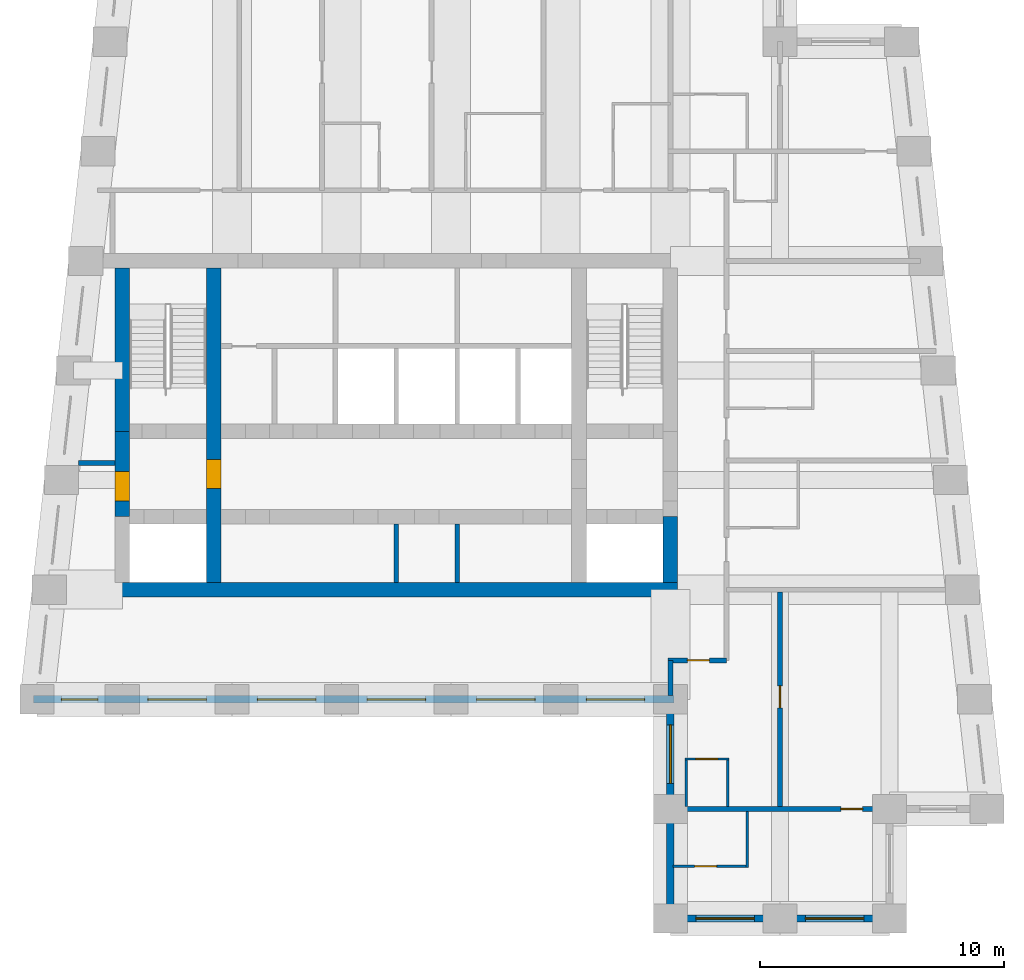
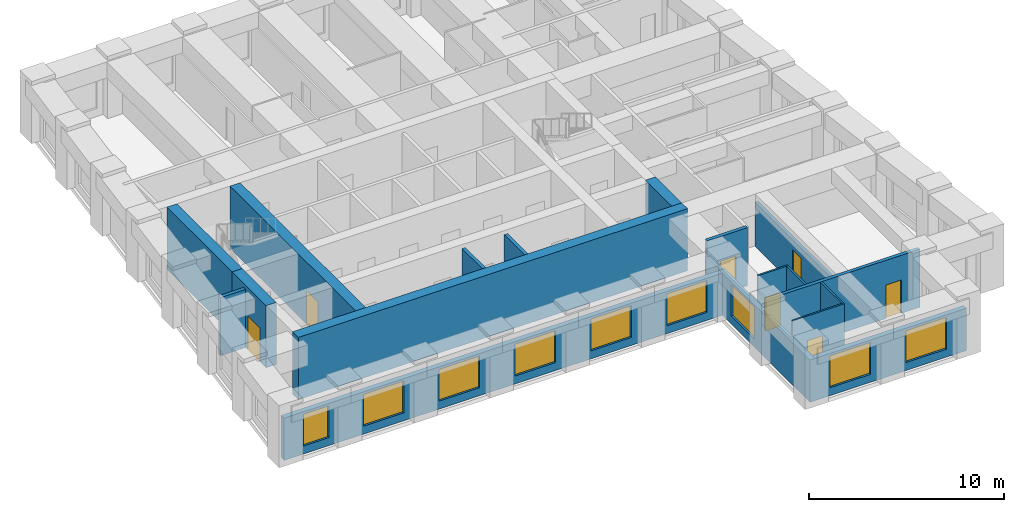
# One storey, part 2 of 7: 20 walls, 9 windows, 7 doors, 16 openings.
"""IFC4 building model written with IfcOpenShell, lengths in metres."""

from ifc_helpers import new_model, si_unit, direction, frame, frame_2d, origin, place, context, subcontext, project, spatial, rectangle, extrude, material, layer, layer_set, type_object, element, fill, save


model = new_model("IFC4")

# Units and contexts
model_context = context("Model", 3, precision=1e-05, world=origin(), true_north=direction((0.0, 1.0)))
body_context = subcontext(model_context, "Body", "Model", "MODEL_VIEW")
ifc_project = project(units=[si_unit("LENGTHUNIT", "METRE"), si_unit("AREAUNIT", "SQUARE_METRE"), si_unit("VOLUMEUNIT", "CUBIC_METRE"), si_unit("PLANEANGLEUNIT", "RADIAN"), si_unit("MASSUNIT", "GRAM", prefix="KILO")], contexts=[model_context])

# Site, building, storey
site_placement = place(None, origin())
site = spatial("IfcSite", under=ifc_project, at=site_placement, CompositionType="ELEMENT")
building_placement = place(site_placement, origin())
building = spatial("IfcBuilding", under=site, at=building_placement, Name="Kilele Tower Hotel", CompositionType="ELEMENT")
storey_placement = place(building_placement, frame((0.0, 0.0, 254.60009765625)))
storey = spatial("IfcBuildingStorey", under=building, at=storey_placement, Name="L65", CompositionType="ELEMENT", Elevation=254.60009765625)

# Walls
ifc_material_1 = material(Name="Moisture-resistant board")
ifc_layer_1 = layer(ifc_material_1, 0.10009765625)
ifc_layer_set_1 = layer_set([ifc_layer_1], Name="Moisture-resistant board")
wall_type_1 = type_object("IfcWallType", Name="Bathroom partition 100", PredefinedType="PLUMBINGWALL", material=ifc_layer_set_1)
wall_1_placement = place(storey_placement, frame((38.35009765625, 4.60009765625, 0.0), z_axis=(0.0, 0.0, 1.0), x_axis=(0.0, 1.0, 0.0)))
element("IfcWall", 1, at=wall_1_placement, inside=storey, type_object=wall_type_1, Name="Bathroom partition 100 L65", PredefinedType="PLUMBINGWALL", context=body_context, shape_type="SweptSolid", body=[
    extrude(rectangle(XDim=2.0, YDim=0.10009765625, at=frame_2d((1.0, 0.0))), origin(), (0.0, 0.0, 1.0), 3.64990234375),
])
wall_2_placement = place(storey_placement, frame((36.64990234375, 4.60009765625, 0.0), z_axis=(0.0, 0.0, 1.0), x_axis=(0.0, 1.0, 0.0)))
element("IfcWall", 2, at=wall_2_placement, inside=storey, type_object=wall_type_1, Name="Bathroom partition 100 L65", PredefinedType="PLUMBINGWALL", context=body_context, shape_type="SweptSolid", body=[
    extrude(rectangle(XDim=2.0, YDim=0.10009765625, at=frame_2d((1.0, 0.0))), origin(), (0.0, 0.0, 1.0), 2.64990234375),
])

# Wall, opening, door
wall_3_placement = place(storey_placement, frame((36.60009765625, 6.550048828125, 0.0), z_axis=(0.0, 0.0, 1.0), x_axis=(1.0, 0.0, 0.0)))
wall_3 = element("IfcWall", 3, at=wall_3_placement, inside=storey, type_object=wall_type_1, Name="Bathroom partition 100 L65", PredefinedType="PLUMBINGWALL", context=body_context, shape_type="SweptSolid", body=[
    extrude(rectangle(XDim=1.7998046875, YDim=0.10009765625, at=frame_2d((0.89990234375, 0.0))), origin(), (0.0, 0.0, 1.0), 3.64990234375),
])
opening_1_placement = place(wall_3_placement, frame((0.449951171875, 0.0, 0.0)))
opening_1 = element("IfcOpeningElement", 4, at=opening_1_placement, cuts=wall_3, Name="Opening D2A", PredefinedType="OPENING", context=body_context, shape_type="SweptSolid", body=[
    extrude(rectangle(XDim=0.89990234375, YDim=2.10009765625, at=frame_2d((0.449951171875, 1.050048828125))), frame((0.0, 0.06005859375, 0.0), z_axis=(0.0, -1.0, 0.0), x_axis=(1.0, 0.0, 0.0)), (0.0, 0.0, 1.0), 0.1201171875),
])
ifc_material_2 = material(Name="Timber door leaf in hardwood frame", Category="wood")
door_type_1 = type_object("IfcDoorType", Name="Bathroom door 900", OperationType="SINGLE_SWING_LEFT", PredefinedType="DOOR", material=ifc_material_2)
door_1_placement = place(opening_1_placement, origin())
door_1 = element("IfcDoor", 5, at=door_1_placement, inside=storey, type_object=door_type_1, Name="Bathroom door 6510P", OperationType="SINGLE_SWING_LEFT", OverallHeight=2.10009765625, OverallWidth=0.89990234375, PredefinedType="DOOR", context=body_context, shape_type="SweptSolid", body=[
    extrude(rectangle(XDim=0.89990234375, YDim=2.10009765625, at=frame_2d((0.449951171875, 1.050048828125))), frame((0.0, 0.02490234375, 0.0), z_axis=(0.0, -1.0, 0.0), x_axis=(1.0, 0.0, 0.0)), (0.0, 0.0, 1.0), 0.050048828125),
])
fill(opening_1, door_1)

# Wall
wall_4_placement = place(storey_placement, frame((39.14990234375, 4.39990234375, 0.0), z_axis=(0.0, 0.0, 1.0), x_axis=(0.0, -1.0, 0.0)))
element("IfcWall", 6, at=wall_4_placement, inside=storey, type_object=wall_type_1, Name="Bathroom partition 100 L65", PredefinedType="PLUMBINGWALL", context=body_context, shape_type="SweptSolid", body=[
    extrude(rectangle(XDim=2.2998046875, YDim=0.10009765625, at=frame_2d((1.14990234375, 0.0))), origin(), (0.0, 0.0, 1.0), 3.64990234375),
])

# Wall, opening, door
wall_5_placement = place(storey_placement, frame((36.10009765625, 2.14990234375, 0.0), z_axis=(0.0, 0.0, 1.0), x_axis=(1.0, 0.0, 0.0)))
wall_5 = element("IfcWall", 7, at=wall_5_placement, inside=storey, type_object=wall_type_1, Name="Bathroom partition 100 L65", PredefinedType="PLUMBINGWALL", context=body_context, shape_type="SweptSolid", body=[
    extrude(rectangle(XDim=3.099853515625, YDim=0.10009765625, at=frame_2d((1.5498046875, 0.0))), origin(), (0.0, 0.0, 1.0), 3.64990234375),
])
opening_2_placement = place(wall_5_placement, frame((1.7998046875, 0.0, 0.0), z_axis=(0.0, 0.0, 1.0), x_axis=(-1.0, 0.0, 0.0)))
opening_2 = element("IfcOpeningElement", 8, at=opening_2_placement, cuts=wall_5, Name="Opening D2A", PredefinedType="OPENING", context=body_context, shape_type="SweptSolid", body=[
    extrude(rectangle(XDim=0.89990234375, YDim=2.10009765625, at=frame_2d((0.449951171875, 1.050048828125))), frame((0.0, 0.06005859375, 0.0), z_axis=(0.0, -1.0, 0.0), x_axis=(1.0, 0.0, 0.0)), (0.0, 0.0, 1.0), 0.1201171875),
])
door_2_placement = place(opening_2_placement, origin())
door_2 = element("IfcDoor", 9, at=door_2_placement, inside=storey, type_object=door_type_1, Name="Bathroom door 6512B", OperationType="SINGLE_SWING_RIGHT", OverallHeight=2.10009765625, OverallWidth=0.89990234375, PredefinedType="DOOR", context=body_context, shape_type="SweptSolid", body=[
    extrude(rectangle(XDim=0.89990234375, YDim=2.10009765625, at=frame_2d((0.449951171875, 1.050048828125))), frame((0.0, 0.02490234375, 0.0), z_axis=(0.0, -1.0, 0.0), x_axis=(1.0, 0.0, 0.0)), (0.0, 0.0, 1.0), 0.050048828125),
])
fill(opening_2, door_2)

# Wall
ifc_material_3 = material(Name="Concrete C60/75", Category="concrete")
ifc_layer_2 = layer(ifc_material_3, 0.60009765625)
ifc_layer_set_2 = layer_set([ifc_layer_2], Name="Concrete C60/75")
wall_type_2 = type_object("IfcWallType", Name="Core wall 600 C60/75", PredefinedType="SHEAR", material=ifc_layer_set_2)
wall_6_placement = place(storey_placement, frame((13.199951171875, 13.5, 0.0), z_axis=(0.0, 0.0, 1.0), x_axis=(1.0, 0.0, 0.0)))
element("IfcWall", 10, at=wall_6_placement, inside=storey, type_object=wall_type_2, Name="Core wall S L65", PredefinedType="SHEAR", context=body_context, shape_type="SweptSolid", body=[
    extrude(rectangle(XDim=23.10009765625, YDim=0.60009765625, at=frame_2d((11.550048828125, 0.0))), origin(), (0.0, 0.0, 1.0), 3.89990234375),
])

# Wall, opening, door
wall_7_placement = place(storey_placement, frame((17.25, 13.800048828125, 0.0), z_axis=(0.0, 0.0, 1.0), x_axis=(0.0, 1.0, 0.0)))
wall_7 = element("IfcWall", 11, at=wall_7_placement, inside=storey, type_object=wall_type_2, Name="Core wall IW L65", PredefinedType="SHEAR", context=body_context, shape_type="SweptSolid", body=[
    extrude(rectangle(XDim=12.89990234375, YDim=0.60009765625, at=frame_2d((6.449951171875, 0.0))), origin(), (0.0, 0.0, 1.0), 3.89990234375),
])
opening_3_placement = place(wall_7_placement, frame((3.85009765625, 0.0, 0.0)))
opening_3 = element("IfcOpeningElement", 12, at=opening_3_placement, cuts=wall_7, Name="Opening D4", PredefinedType="OPENING", context=body_context, shape_type="SweptSolid", body=[
    extrude(rectangle(XDim=1.199951171875, YDim=2.10009765625, at=frame_2d((0.60009765625, 1.050048828125))), frame((0.0, 0.31005859375, 0.0), z_axis=(0.0, -1.0, 0.0), x_axis=(1.0, 0.0, 0.0)), (0.0, 0.0, 1.0), 0.6201171875),
])
ifc_material_4 = material(Name="Timber door leaf in hardwood frame", Category="wood")
door_type_2 = type_object("IfcDoorType", Name="Firefighting lobby door 1200", OperationType="SINGLE_SWING_LEFT", PredefinedType="DOOR", material=ifc_material_4)
door_3_placement = place(opening_3_placement, origin())
door_3 = element("IfcDoor", 13, at=door_3_placement, inside=storey, type_object=door_type_2, Name="Lobby door L65", OperationType="SINGLE_SWING_LEFT", OverallHeight=2.10009765625, OverallWidth=1.199951171875, PredefinedType="DOOR", context=body_context, shape_type="SweptSolid", body=[
    extrude(rectangle(XDim=1.199951171875, YDim=2.10009765625, at=frame_2d((0.60009765625, 1.050048828125))), frame((0.0, 0.2998046875, 0.0), z_axis=(0.0, -1.0, 0.0), x_axis=(1.0, 0.0, 0.0)), (0.0, 0.0, 1.0), 0.599609375),
])
fill(opening_3, door_3)

# Wall
wall_8_placement = place(storey_placement, frame((13.5, 26.699951171875, 0.0), z_axis=(0.0, 0.0, 1.0), x_axis=(0.0, -1.0, 0.0)))
element("IfcWall", 14, at=wall_8_placement, inside=storey, type_object=wall_type_2, Name="Core wall W1 L65", PredefinedType="SHEAR", context=body_context, shape_type="SweptSolid", body=[
    extrude(rectangle(XDim=6.699951171875, YDim=0.60009765625, at=frame_2d((3.35009765625, 0.0))), origin(), (0.0, 0.0, 1.0), 3.89990234375),
])

# Wall, opening, door
wall_9_placement = place(storey_placement, frame((13.5, 20.0, 0.0), z_axis=(0.0, 0.0, 1.0), x_axis=(0.0, -1.0, 0.0)))
wall_9 = element("IfcWall", 15, at=wall_9_placement, inside=storey, type_object=wall_type_2, Name="Core wall W2 L65", PredefinedType="SHEAR", context=body_context, shape_type="SweptSolid", body=[
    extrude(rectangle(XDim=3.5, YDim=0.60009765625, at=frame_2d((1.75, 0.0))), origin(), (0.0, 0.0, 1.0), 3.89990234375),
])
opening_4_placement = place(wall_9_placement, frame((1.64990234375, 0.0, 0.0)))
opening_4 = element("IfcOpeningElement", 16, at=opening_4_placement, cuts=wall_9, Name="Opening D4", PredefinedType="OPENING", context=body_context, shape_type="SweptSolid", body=[
    extrude(rectangle(XDim=1.199951171875, YDim=2.10009765625, at=frame_2d((0.60009765625, 1.050048828125))), frame((0.0, 0.31005859375, 0.0), z_axis=(0.0, -1.0, 0.0), x_axis=(1.0, 0.0, 0.0)), (0.0, 0.0, 1.0), 0.6201171875),
])
door_4_placement = place(opening_4_placement, origin())
door_4 = element("IfcDoor", 17, at=door_4_placement, inside=storey, type_object=door_type_2, Name="Lobby door L65", OperationType="SINGLE_SWING_RIGHT", OverallHeight=2.10009765625, OverallWidth=1.199951171875, PredefinedType="DOOR", context=body_context, shape_type="SweptSolid", body=[
    extrude(rectangle(XDim=1.199951171875, YDim=2.10009765625, at=frame_2d((0.60009765625, 1.050048828125))), frame((0.0, 0.2998046875, 0.0), z_axis=(0.0, -1.0, 0.0), x_axis=(1.0, 0.0, 0.0)), (0.0, 0.0, 1.0), 0.599609375),
])
fill(opening_4, door_4)

# Wall
wall_10_placement = place(storey_placement, frame((36.0, 13.800048828125, 0.0), z_axis=(0.0, 0.0, 1.0), x_axis=(0.0, 1.0, 0.0)))
element("IfcWall", 18, at=wall_10_placement, inside=storey, type_object=wall_type_2, Name="Core wall E1 L65", PredefinedType="SHEAR", context=body_context, shape_type="SweptSolid", body=[
    extrude(rectangle(XDim=2.699951171875, YDim=0.60009765625, at=frame_2d((1.35009765625, 0.0))), origin(), (0.0, 0.0, 1.0), 3.89990234375),
])

# Wall, opening, door
ifc_material_5 = material(Name="Blockwork, plastered both sides", Category="masonry")
ifc_layer_3 = layer(ifc_material_5, 0.199951171875)
ifc_layer_set_3 = layer_set([ifc_layer_3], Name="Blockwork, plastered both sides")
wall_type_3 = type_object("IfcWallType", Name="Corridor wall 200", PredefinedType="PARTITIONING", material=ifc_layer_set_3)
wall_11_placement = place(storey_placement, frame((35.89990234375, 10.60009765625, 0.0), z_axis=(0.0, 0.0, 1.0), x_axis=(1.0, 0.0, 0.0)))
wall_11 = element("IfcWall", 19, at=wall_11_placement, inside=storey, type_object=wall_type_3, Name="Corridor wall 200 L65", PredefinedType="PARTITIONING", context=body_context, shape_type="SweptSolid", body=[
    extrude(rectangle(XDim=2.400146484375, YDim=0.199951171875, at=frame_2d((1.2001953125, 0.0))), origin(), (0.0, 0.0, 1.0), 3.64990234375),
])
opening_5_placement = place(wall_11_placement, frame((1.699951171875, 0.0, 0.0), z_axis=(0.0, 0.0, 1.0), x_axis=(-1.0, 0.0, 0.0)))
opening_5 = element("IfcOpeningElement", 20, at=opening_5_placement, cuts=wall_11, Name="Opening D1", PredefinedType="OPENING", context=body_context, shape_type="SweptSolid", body=[
    extrude(rectangle(XDim=0.89990234375, YDim=2.10009765625, at=frame_2d((0.449951171875, 1.050048828125))), frame((0.0, 0.10986328125, 0.0), z_axis=(0.0, -1.0, 0.0), x_axis=(1.0, 0.0, 0.0)), (0.0, 0.0, 1.0), 0.219970703125),
])
ifc_material_6 = material(Name="Timber door leaf in hardwood frame", Category="wood")
door_type_3 = type_object("IfcDoorType", Name="Guest room entrance door 900", OperationType="SINGLE_SWING_LEFT", PredefinedType="DOOR", material=ifc_material_6)
door_5_placement = place(opening_5_placement, origin())
door_5 = element("IfcDoor", 21, at=door_5_placement, inside=storey, type_object=door_type_3, Name="Room entrance 6510", OperationType="SINGLE_SWING_RIGHT", OverallHeight=2.10009765625, OverallWidth=0.89990234375, PredefinedType="DOOR", context=body_context, shape_type="SweptSolid", body=[
    extrude(rectangle(XDim=0.89990234375, YDim=2.10009765625, at=frame_2d((0.449951171875, 1.050048828125))), frame((0.0, 0.02490234375, 0.0), z_axis=(0.0, -1.0, 0.0), x_axis=(1.0, 0.0, 0.0)), (0.0, 0.0, 1.0), 0.050048828125),
])
fill(opening_5, door_5)

# Wall
ifc_material_7 = material(Name="Blockwork, plastered both sides", Category="masonry")
ifc_layer_4 = layer(ifc_material_7, 0.199951171875)
ifc_layer_set_4 = layer_set([ifc_layer_4], Name="Blockwork, plastered both sides")
wall_type_4 = type_object("IfcWallType", Name="Partition wall 200", PredefinedType="PARTITIONING", material=ifc_layer_set_4)
wall_12_placement = place(storey_placement, frame((13.199951171875, 18.699951171875, 0.0), z_axis=(0.0, 0.0, 1.0), x_axis=(-1.0, 0.0, 0.0)))
element("IfcWall", 22, at=wall_12_placement, inside=storey, type_object=wall_type_4, Name="Partition wall 200 L65", PredefinedType="PARTITIONING", context=body_context, shape_type="SweptSolid", body=[
    extrude(rectangle(XDim=1.5, YDim=0.199951171875, at=frame_2d((0.75, 0.0))), origin(), (0.0, 0.0, 1.0), 3.64990234375),
])

# Wall, opening, door
wall_13_placement = place(storey_placement, frame((40.5, 4.60009765625, 0.0), z_axis=(0.0, 0.0, 1.0), x_axis=(0.0, 1.0, 0.0)))
wall_13 = element("IfcWall", 23, at=wall_13_placement, inside=storey, type_object=wall_type_4, Name="Partition wall 200 L65", PredefinedType="PARTITIONING", context=body_context, shape_type="SweptSolid", body=[
    extrude(rectangle(XDim=8.7998046875, YDim=0.199951171875, at=frame_2d((4.39990234375, 0.0))), origin(), (0.0, 0.0, 1.0), 2.75),
])
opening_6_placement = place(wall_13_placement, frame((4.050048828125, 0.0, 0.0)))
opening_6 = element("IfcOpeningElement", 24, at=opening_6_placement, cuts=wall_13, Name="Opening D3", PredefinedType="OPENING", context=body_context, shape_type="SweptSolid", body=[
    extrude(rectangle(XDim=0.89990234375, YDim=2.10009765625, at=frame_2d((0.449951171875, 1.050048828125))), frame((0.0, 0.10986328125, 0.0), z_axis=(0.0, -1.0, 0.0), x_axis=(1.0, 0.0, 0.0)), (0.0, 0.0, 1.0), 0.219970703125),
])
ifc_material_8 = material(Name="Timber door leaf in hardwood frame", Category="wood")
door_type_4 = type_object("IfcDoorType", Name="Suite internal door 900", OperationType="SINGLE_SWING_LEFT", PredefinedType="DOOR", material=ifc_material_8)
door_6_placement = place(opening_6_placement, origin())
door_6 = element("IfcDoor", 25, at=door_6_placement, inside=storey, type_object=door_type_4, Name="Suite door 6511", OperationType="SINGLE_SWING_RIGHT", OverallHeight=2.10009765625, OverallWidth=0.89990234375, PredefinedType="DOOR", context=body_context, shape_type="SweptSolid", body=[
    extrude(rectangle(XDim=0.89990234375, YDim=2.10009765625, at=frame_2d((0.449951171875, 1.050048828125))), frame((0.0, 0.02490234375, 0.0), z_axis=(0.0, -1.0, 0.0), x_axis=(1.0, 0.0, 0.0)), (0.0, 0.0, 1.0), 0.050048828125),
])
fill(opening_6, door_6)

# Wall
ifc_material_9 = material(Name="Blockwork, plastered both sides", Category="masonry")
ifc_layer_5 = layer(ifc_material_9, 0.199951171875)
ifc_layer_set_5 = layer_set([ifc_layer_5], Name="Blockwork, plastered both sides")
wall_type_5 = type_object("IfcWallType", Name="Party wall 200", PredefinedType="PARTITIONING", material=ifc_layer_set_5)
wall_14_placement = place(storey_placement, frame((36.0, 10.60009765625, 0.0), z_axis=(0.0, 0.0, 1.0), x_axis=(0.0, -1.0, 0.0)))
element("IfcWall", 26, at=wall_14_placement, inside=storey, type_object=wall_type_5, Name="Party wall 200 L65", PredefinedType="PARTITIONING", context=body_context, shape_type="SweptSolid", body=[
    extrude(rectangle(XDim=1.4501953125, YDim=0.199951171875, at=frame_2d((0.72509765625, 0.0))), origin(), (0.0, 0.0, 1.0), 2.64990234375),
])

# Wall, opening, door
wall_15_placement = place(storey_placement, frame((35.89990234375, 4.5, 0.0), z_axis=(0.0, 0.0, 1.0), x_axis=(1.0, 0.0, 0.0)))
wall_15 = element("IfcWall", 27, at=wall_15_placement, inside=storey, type_object=wall_type_5, Name="Party wall 200 L65", PredefinedType="PARTITIONING", context=body_context, shape_type="SweptSolid", body=[
    extrude(rectangle(XDim=9.10009765625, YDim=0.199951171875, at=frame_2d((4.550048828125, 0.0))), origin(), (0.0, 0.0, 1.0), 3.64990234375),
])
opening_7_placement = place(wall_15_placement, frame((7.10009765625, 0.0, 0.0)))
opening_7 = element("IfcOpeningElement", 28, at=opening_7_placement, cuts=wall_15, Name="Opening D3", PredefinedType="OPENING", context=body_context, shape_type="SweptSolid", body=[
    extrude(rectangle(XDim=0.89990234375, YDim=2.10009765625, at=frame_2d((0.449951171875, 1.050048828125))), frame((0.0, 0.10986328125, 0.0), z_axis=(0.0, -1.0, 0.0), x_axis=(1.0, 0.0, 0.0)), (0.0, 0.0, 1.0), 0.219970703125),
])
door_7_placement = place(opening_7_placement, origin())
door_7 = element("IfcDoor", 29, at=door_7_placement, inside=storey, type_object=door_type_4, Name="Suite door 6512", OperationType="SINGLE_SWING_RIGHT", OverallHeight=2.10009765625, OverallWidth=0.89990234375, PredefinedType="DOOR", context=body_context, shape_type="SweptSolid", body=[
    extrude(rectangle(XDim=0.89990234375, YDim=2.10009765625, at=frame_2d((0.449951171875, 1.050048828125))), frame((0.0, 0.02490234375, 0.0), z_axis=(0.0, -1.0, 0.0), x_axis=(1.0, 0.0, 0.0)), (0.0, 0.0, 1.0), 0.050048828125),
])
fill(opening_7, door_7)

# Wall, openings, windows
ifc_material_10 = material(Name="Concrete C40/50 precast", Category="concrete")
ifc_layer_6 = layer(ifc_material_10, 0.260009765625, Name="Precast backing", Category="LoadBearing")
ifc_material_11 = material(Name="Reconstituted stone finish", Category="masonry")
ifc_layer_7 = layer(ifc_material_11, 0.0400390625, Name="Face mix", Category="Finish")
ifc_layer_set_6 = layer_set([ifc_layer_6, ifc_layer_7], Name="Precast concrete C40/50, reconstituted stone finish")
wall_type_6 = type_object("IfcWallType", Name="Precast stone facade wall 300", PredefinedType="STANDARD", material=ifc_layer_set_6)
wall_16_placement = place(storey_placement, frame((9.85009765625, 9.0, 0.0), z_axis=(0.0, 0.0, 1.0), x_axis=(1.0, 0.0, 0.0)))
wall_16 = element("IfcWall", 30, at=wall_16_placement, inside=storey, type_object=wall_type_6, Name="Facade wall L65 edge 1", PredefinedType="STANDARD", context=body_context, shape_type="SweptSolid", body=[
    extrude(rectangle(XDim=26.2998046875, YDim=0.300048828125, at=frame_2d((13.14990234375, 0.0))), origin(), (0.0, 0.0, 1.0), 2.64990234375),
])
opening_8_placement = place(wall_16_placement, frame((1.14990234375, 0.0, 0.5)))
opening_8 = element("IfcOpeningElement", 31, at=opening_8_placement, cuts=wall_16, Name="Opening W4", PredefinedType="OPENING", context=body_context, shape_type="SweptSolid", body=[
    extrude(rectangle(XDim=1.5, YDim=2.0, at=frame_2d((0.75, 1.0))), frame((0.0, 0.159912109375, 0.0), z_axis=(0.0, -1.0, 0.0), x_axis=(1.0, 0.0, 0.0)), (0.0, 0.0, 1.0), 0.320068359375),
])
opening_9_placement = place(wall_16_placement, frame((4.699951171875, 0.0, 0.5)))
opening_9 = element("IfcOpeningElement", 32, at=opening_9_placement, cuts=wall_16, Name="Opening W4", PredefinedType="OPENING", context=body_context, shape_type="SweptSolid", body=[
    extrude(rectangle(XDim=2.39990234375, YDim=2.0, at=frame_2d((1.199951171875, 1.0))), frame((0.0, 0.159912109375, 0.0), z_axis=(0.0, -1.0, 0.0), x_axis=(1.0, 0.0, 0.0)), (0.0, 0.0, 1.0), 0.320068359375),
])
opening_10_placement = place(wall_16_placement, frame((9.199951171875, 0.0, 0.5)))
opening_10 = element("IfcOpeningElement", 33, at=opening_10_placement, cuts=wall_16, Name="Opening W4", PredefinedType="OPENING", context=body_context, shape_type="SweptSolid", body=[
    extrude(rectangle(XDim=2.39990234375, YDim=2.0, at=frame_2d((1.199951171875, 1.0))), frame((0.0, 0.159912109375, 0.0), z_axis=(0.0, -1.0, 0.0), x_axis=(1.0, 0.0, 0.0)), (0.0, 0.0, 1.0), 0.320068359375),
])
opening_11_placement = place(wall_16_placement, frame((13.699951171875, 0.0, 0.5)))
opening_11 = element("IfcOpeningElement", 34, at=opening_11_placement, cuts=wall_16, Name="Opening W4", PredefinedType="OPENING", context=body_context, shape_type="SweptSolid", body=[
    extrude(rectangle(XDim=2.39990234375, YDim=2.0, at=frame_2d((1.199951171875, 1.0))), frame((0.0, 0.159912109375, 0.0), z_axis=(0.0, -1.0, 0.0), x_axis=(1.0, 0.0, 0.0)), (0.0, 0.0, 1.0), 0.320068359375),
])
opening_12_placement = place(wall_16_placement, frame((18.199951171875, 0.0, 0.5)))
opening_12 = element("IfcOpeningElement", 35, at=opening_12_placement, cuts=wall_16, Name="Opening W4", PredefinedType="OPENING", context=body_context, shape_type="SweptSolid", body=[
    extrude(rectangle(XDim=2.39990234375, YDim=2.0, at=frame_2d((1.199951171875, 1.0))), frame((0.0, 0.159912109375, 0.0), z_axis=(0.0, -1.0, 0.0), x_axis=(1.0, 0.0, 0.0)), (0.0, 0.0, 1.0), 0.320068359375),
])
opening_13_placement = place(wall_16_placement, frame((22.699951171875, 0.0, 0.5)))
opening_13 = element("IfcOpeningElement", 36, at=opening_13_placement, cuts=wall_16, Name="Opening W4", PredefinedType="OPENING", context=body_context, shape_type="SweptSolid", body=[
    extrude(rectangle(XDim=2.39990234375, YDim=2.0, at=frame_2d((1.199951171875, 1.0))), frame((0.0, 0.159912109375, 0.0), z_axis=(0.0, -1.0, 0.0), x_axis=(1.0, 0.0, 0.0)), (0.0, 0.0, 1.0), 0.320068359375),
])
ifc_material_12 = material(Name="Aluminium frame, clear double glazing", Category="aluminium")
window_type_1 = type_object("IfcWindowType", Name="Window W4 1500 x 2000", PartitioningType="SINGLE_PANEL", PredefinedType="WINDOW", material=ifc_material_12)
window_1_placement = place(opening_8_placement, origin())
window_1 = element("IfcWindow", 37, at=window_1_placement, inside=storey, type_object=window_type_1, Name="Window L65", OverallHeight=2.0, OverallWidth=1.5, PartitioningType="SINGLE_PANEL", PredefinedType="WINDOW", context=body_context, shape_type="SweptSolid", body=[
    extrude(rectangle(XDim=1.5, YDim=2.0, at=frame_2d((0.75, 1.0))), frame((0.0, 0.030029296875, 0.0), z_axis=(0.0, -1.0, 0.0), x_axis=(1.0, 0.0, 0.0)), (0.0, 0.0, 1.0), 0.06005859375),
])
fill(opening_8, window_1)
ifc_material_13 = material(Name="Aluminium frame, clear double glazing", Category="aluminium")
window_type_2 = type_object("IfcWindowType", Name="Window W4 2400 x 2000", PartitioningType="SINGLE_PANEL", PredefinedType="WINDOW", material=ifc_material_13)
window_2_placement = place(opening_9_placement, origin())
window_2 = element("IfcWindow", 38, at=window_2_placement, inside=storey, type_object=window_type_2, Name="Window L65", OverallHeight=2.0, OverallWidth=2.39990234375, PartitioningType="SINGLE_PANEL", PredefinedType="WINDOW", context=body_context, shape_type="SweptSolid", body=[
    extrude(rectangle(XDim=2.39990234375, YDim=2.0, at=frame_2d((1.199951171875, 1.0))), frame((0.0, 0.030029296875, 0.0), z_axis=(0.0, -1.0, 0.0), x_axis=(1.0, 0.0, 0.0)), (0.0, 0.0, 1.0), 0.06005859375),
])
fill(opening_9, window_2)
window_3_placement = place(opening_10_placement, origin())
window_3 = element("IfcWindow", 39, at=window_3_placement, inside=storey, type_object=window_type_2, Name="Window L65", OverallHeight=2.0, OverallWidth=2.39990234375, PartitioningType="SINGLE_PANEL", PredefinedType="WINDOW", context=body_context, shape_type="SweptSolid", body=[
    extrude(rectangle(XDim=2.39990234375, YDim=2.0, at=frame_2d((1.199951171875, 1.0))), frame((0.0, 0.030029296875, 0.0), z_axis=(0.0, -1.0, 0.0), x_axis=(1.0, 0.0, 0.0)), (0.0, 0.0, 1.0), 0.06005859375),
])
fill(opening_10, window_3)
window_4_placement = place(opening_11_placement, origin())
window_4 = element("IfcWindow", 40, at=window_4_placement, inside=storey, type_object=window_type_2, Name="Window L65", OverallHeight=2.0, OverallWidth=2.39990234375, PartitioningType="SINGLE_PANEL", PredefinedType="WINDOW", context=body_context, shape_type="SweptSolid", body=[
    extrude(rectangle(XDim=2.39990234375, YDim=2.0, at=frame_2d((1.199951171875, 1.0))), frame((0.0, 0.030029296875, 0.0), z_axis=(0.0, -1.0, 0.0), x_axis=(1.0, 0.0, 0.0)), (0.0, 0.0, 1.0), 0.06005859375),
])
fill(opening_11, window_4)
window_5_placement = place(opening_12_placement, origin())
window_5 = element("IfcWindow", 41, at=window_5_placement, inside=storey, type_object=window_type_2, Name="Window L65", OverallHeight=2.0, OverallWidth=2.39990234375, PartitioningType="SINGLE_PANEL", PredefinedType="WINDOW", context=body_context, shape_type="SweptSolid", body=[
    extrude(rectangle(XDim=2.39990234375, YDim=2.0, at=frame_2d((1.199951171875, 1.0))), frame((0.0, 0.030029296875, 0.0), z_axis=(0.0, -1.0, 0.0), x_axis=(1.0, 0.0, 0.0)), (0.0, 0.0, 1.0), 0.06005859375),
])
fill(opening_12, window_5)
window_6_placement = place(opening_13_placement, origin())
window_6 = element("IfcWindow", 42, at=window_6_placement, inside=storey, type_object=window_type_2, Name="Window L65", OverallHeight=2.0, OverallWidth=2.39990234375, PartitioningType="SINGLE_PANEL", PredefinedType="WINDOW", context=body_context, shape_type="SweptSolid", body=[
    extrude(rectangle(XDim=2.39990234375, YDim=2.0, at=frame_2d((1.199951171875, 1.0))), frame((0.0, 0.030029296875, 0.0), z_axis=(0.0, -1.0, 0.0), x_axis=(1.0, 0.0, 0.0)), (0.0, 0.0, 1.0), 0.06005859375),
])
fill(opening_13, window_6)

# Wall, opening, window
wall_17_placement = place(storey_placement, frame((36.0, 9.14990234375, 0.0), z_axis=(0.0, 0.0, 1.0), x_axis=(0.0, -1.0, 0.0)))
wall_17 = element("IfcWall", 43, at=wall_17_placement, inside=storey, type_object=wall_type_6, Name="Facade wall L65 edge 2", PredefinedType="STANDARD", context=body_context, shape_type="SweptSolid", body=[
    extrude(rectangle(XDim=9.2998046875, YDim=0.300048828125, at=frame_2d((4.64990234375, 0.0))), origin(), (0.0, 0.0, 1.0), 2.64990234375),
])
opening_14_placement = place(wall_17_placement, frame((1.199951171875, 0.0, 0.5)))
opening_14 = element("IfcOpeningElement", 44, at=opening_14_placement, cuts=wall_17, Name="Opening W4", PredefinedType="OPENING", context=body_context, shape_type="SweptSolid", body=[
    extrude(rectangle(XDim=2.39990234375, YDim=2.0, at=frame_2d((1.199951171875, 1.0))), frame((0.0, 0.159912109375, 0.0), z_axis=(0.0, -1.0, 0.0), x_axis=(1.0, 0.0, 0.0)), (0.0, 0.0, 1.0), 0.320068359375),
])
window_7_placement = place(opening_14_placement, origin())
window_7 = element("IfcWindow", 45, at=window_7_placement, inside=storey, type_object=window_type_2, Name="Window L65", OverallHeight=2.0, OverallWidth=2.39990234375, PartitioningType="SINGLE_PANEL", PredefinedType="WINDOW", context=body_context, shape_type="SweptSolid", body=[
    extrude(rectangle(XDim=2.39990234375, YDim=2.0, at=frame_2d((1.199951171875, 1.0))), frame((0.0, 0.030029296875, 0.0), z_axis=(0.0, -1.0, 0.0), x_axis=(1.0, 0.0, 0.0)), (0.0, 0.0, 1.0), 0.06005859375),
])
fill(opening_14, window_7)

# Wall, openings, windows
wall_18_placement = place(storey_placement, frame((35.85009765625, 0.0, 0.0), z_axis=(0.0, 0.0, 1.0), x_axis=(1.0, 0.0, 0.0)))
wall_18 = element("IfcWall", 46, at=wall_18_placement, inside=storey, type_object=wall_type_6, Name="Facade wall L65 edge 3", PredefinedType="STANDARD", context=body_context, shape_type="SweptSolid", body=[
    extrude(rectangle(XDim=9.2998046875, YDim=0.300048828125, at=frame_2d((4.64990234375, 0.0))), origin(), (0.0, 0.0, 1.0), 2.64990234375),
])
opening_15_placement = place(wall_18_placement, frame((1.199951171875, 0.0, 0.5)))
opening_15 = element("IfcOpeningElement", 47, at=opening_15_placement, cuts=wall_18, Name="Opening W4", PredefinedType="OPENING", context=body_context, shape_type="SweptSolid", body=[
    extrude(rectangle(XDim=2.39990234375, YDim=2.0, at=frame_2d((1.199951171875, 1.0))), frame((0.0, 0.159912109375, 0.0), z_axis=(0.0, -1.0, 0.0), x_axis=(1.0, 0.0, 0.0)), (0.0, 0.0, 1.0), 0.320068359375),
])
opening_16_placement = place(wall_18_placement, frame((5.699951171875, 0.0, 0.5)))
opening_16 = element("IfcOpeningElement", 48, at=opening_16_placement, cuts=wall_18, Name="Opening W4", PredefinedType="OPENING", context=body_context, shape_type="SweptSolid", body=[
    extrude(rectangle(XDim=2.39990234375, YDim=2.0, at=frame_2d((1.199951171875, 1.0))), frame((0.0, 0.159912109375, 0.0), z_axis=(0.0, -1.0, 0.0), x_axis=(1.0, 0.0, 0.0)), (0.0, 0.0, 1.0), 0.320068359375),
])
window_8_placement = place(opening_15_placement, origin())
window_8 = element("IfcWindow", 49, at=window_8_placement, inside=storey, type_object=window_type_2, Name="Window L65", OverallHeight=2.0, OverallWidth=2.39990234375, PartitioningType="SINGLE_PANEL", PredefinedType="WINDOW", context=body_context, shape_type="SweptSolid", body=[
    extrude(rectangle(XDim=2.39990234375, YDim=2.0, at=frame_2d((1.199951171875, 1.0))), frame((0.0, 0.030029296875, 0.0), z_axis=(0.0, -1.0, 0.0), x_axis=(1.0, 0.0, 0.0)), (0.0, 0.0, 1.0), 0.06005859375),
])
fill(opening_15, window_8)
window_9_placement = place(opening_16_placement, origin())
window_9 = element("IfcWindow", 50, at=window_9_placement, inside=storey, type_object=window_type_2, Name="Window L65", OverallHeight=2.0, OverallWidth=2.39990234375, PartitioningType="SINGLE_PANEL", PredefinedType="WINDOW", context=body_context, shape_type="SweptSolid", body=[
    extrude(rectangle(XDim=2.39990234375, YDim=2.0, at=frame_2d((1.199951171875, 1.0))), frame((0.0, 0.030029296875, 0.0), z_axis=(0.0, -1.0, 0.0), x_axis=(1.0, 0.0, 0.0)), (0.0, 0.0, 1.0), 0.06005859375),
])
fill(opening_16, window_9)

# Walls
ifc_material_14 = material(Name="Blockwork, fire-rated", Category="masonry")
ifc_layer_8 = layer(ifc_material_14, 0.199951171875)
ifc_layer_set_7 = layer_set([ifc_layer_8], Name="Blockwork, fire-rated")
wall_type_7 = type_object("IfcWallType", Name="Shaft wall 200", PredefinedType="PARTITIONING", material=ifc_layer_set_7)
for number, where, z_axis, x_axis, name in (
    (51, (24.75, 13.800048828125, 0.0), (0.0, 0.0, 1.0), (0.0, 1.0, 0.0), "Shaft wall 200 L65"),
    (52, (27.25, 13.800048828125, 0.0), (0.0, 0.0, 1.0), (0.0, 1.0, 0.0), "Shaft wall 200 L65"),
):
    element("IfcWall", number, at=place(storey_placement, frame(where, z_axis=z_axis, x_axis=x_axis)), inside=storey, type_object=wall_type_7, Name=name, PredefinedType="PARTITIONING", context=body_context, shape_type="SweptSolid", body=[
        extrude(rectangle(XDim=2.39990234375, YDim=0.199951171875, at=frame_2d((1.199951171875, 0.0))), origin(), (0.0, 0.0, 1.0), 3.64990234375),
    ])

save(model, "model.ifc")
